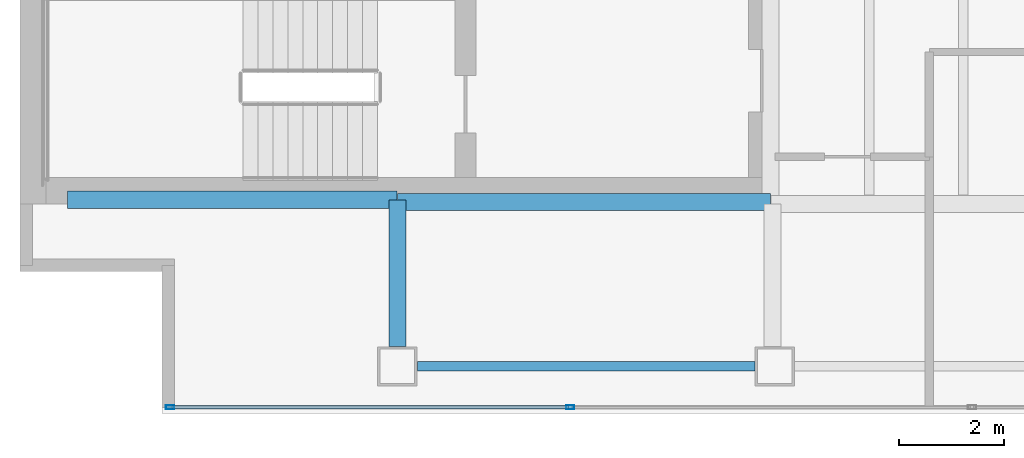
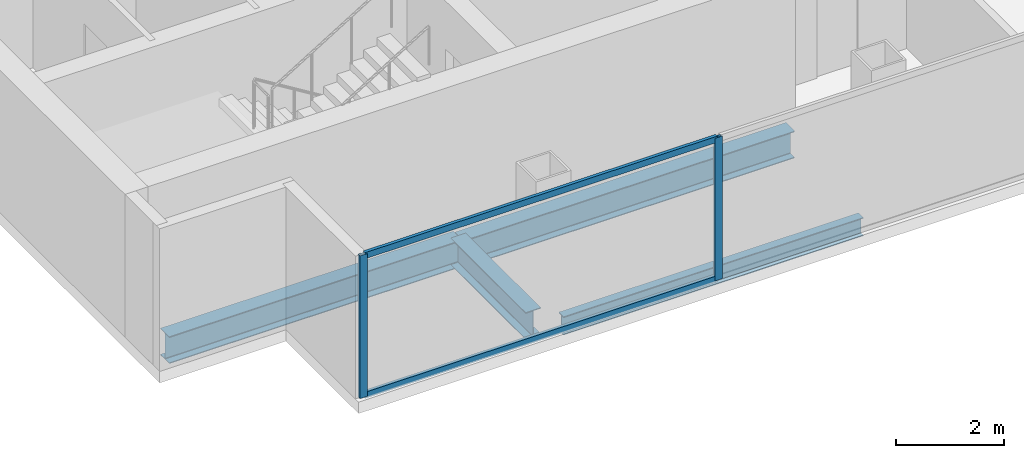
# One storey, part 2 of 23: 4 beams, 4 members, 1 element without a shape of its own.
"""IFC4 building model written with IfcOpenShell, lengths in metres."""

import ifcopenshell
import ifcopenshell.guid

model = None  # the IFC model being written
_history = None  # IfcOwnerHistory: only IFC2X3 demands one
_inside = {}  # id of a spatial element -> (the spatial element, [elements in it])
_under = {}  # id of a project, library or spatial element -> (it, [spatial elements below it])
_declared = {}  # id of a project -> (the project, [libraries it declares])
_typed = {}  # id of a type object -> (the type object, [elements of that type])
_made_of = {}  # id of a material, layer set ... -> (it, [elements and type objects made of it])


def new_model(schema):
    """Start an empty IFC model of exactly this schema.

    Asked for "IFC4X3", IfcOpenShell would pick the latest addendum, in which some entities
    have other attributes; the version numbers below select the first issue.
    IFC2X3 requires an IfcOwnerHistory on every rooted entity: one is made here for all.
    """
    global model, _history
    if schema == "IFC4X3":
        model = ifcopenshell.file(schema_version=(4, 3, 0, 0))
    else:
        model = ifcopenshell.file(schema=schema)
    _inside.clear()
    _under.clear()
    _declared.clear()
    _typed.clear()
    _made_of.clear()
    _history = None
    if model.schema == "IFC2X3":
        org = make("IfcOrganization", Name="unknown")
        user = make(
            "IfcPersonAndOrganization",
            ThePerson=make("IfcPerson", FamilyName="unknown"),
            TheOrganization=org,
        )
        app = make(
            "IfcApplication",
            ApplicationDeveloper=org,
            Version="unknown",
            ApplicationFullName="unknown",
            ApplicationIdentifier="unknown",
        )
        _history = make(
            "IfcOwnerHistory",
            OwningUser=user,
            OwningApplication=app,
            ChangeAction="ADDED",
            CreationDate=0,
        )
    return model


def make(cls, **values):
    """One entity of the class cls with the attributes given. An attribute that is None is left unset."""
    return model.create_entity(
        cls, **{name: value for name, value in values.items() if value is not None}
    )


def rooted(cls, **values):
    """An entity with a GlobalId (a new one), such as an element, a storey or a relation."""
    return make(cls, GlobalId=ifcopenshell.guid.new(), OwnerHistory=_history, **values)


def si_unit(unit_type, name, prefix=None):
    """IfcSIUnit, for example si_unit("LENGTHUNIT", "METRE", prefix="MILLI")."""
    return make("IfcSIUnit", UnitType=unit_type, Prefix=prefix, Name=name)


def assignment(units):
    """IfcUnitAssignment: the units of a project."""
    return None if units is None else make("IfcUnitAssignment", Units=units)


def point(xyz):
    """IfcCartesianPoint."""
    return None if xyz is None else make("IfcCartesianPoint", Coordinates=xyz)


def direction(xyz):
    """IfcDirection."""
    return None if xyz is None else make("IfcDirection", DirectionRatios=xyz)


def frame(location, z_axis=None, x_axis=None):
    """IfcAxis2Placement3D, a coordinate frame: its origin and axes. An axis left out is left unset."""
    return make(
        "IfcAxis2Placement3D",
        Location=point(location),
        Axis=direction(z_axis),
        RefDirection=direction(x_axis),
    )


def frame_2d(location, x_axis=None):
    """IfcAxis2Placement2D, a coordinate frame in the plane: its origin and x axis."""
    return make(
        "IfcAxis2Placement2D", Location=point(location), RefDirection=direction(x_axis)
    )


def origin():
    """The frame at (0, 0, 0) with its axes left unset."""
    return frame((0.0, 0.0, 0.0))


def origin_2d():
    """The frame at (0, 0) in the plane with its x axis left unset."""
    return frame_2d((0.0, 0.0))


def place(relative_to, where):
    """IfcLocalPlacement: puts the frame where relative to a parent placement (None: the world)."""
    return make(
        "IfcLocalPlacement", PlacementRelTo=relative_to, RelativePlacement=where
    )


def context(
    kind, dimensions, precision=None, world=None, true_north=None, identifier=None
):
    """IfcGeometricRepresentationContext, for example the 3D "Model" context."""
    return make(
        "IfcGeometricRepresentationContext",
        ContextIdentifier=identifier,
        ContextType=kind,
        CoordinateSpaceDimension=dimensions,
        Precision=precision,
        WorldCoordinateSystem=world,
        TrueNorth=true_north,
    )


def subcontext(parent, identifier, kind, view, scale=None):
    """IfcGeometricRepresentationSubContext, for example "Body" below "Model"."""
    return make(
        "IfcGeometricRepresentationSubContext",
        ContextIdentifier=identifier,
        ContextType=kind,
        ParentContext=parent,
        TargetScale=scale,
        TargetView=view,
    )


def project(units=None, contexts=None):
    """IfcProject with its units and contexts."""
    return rooted(
        "IfcProject",
        Name="project",
        RepresentationContexts=contexts,
        UnitsInContext=assignment(units),
    )


def spatial(cls, under=None, at=None, **own):
    """A site, building, storey or space (cls), placed at a placement, below another one or the project."""
    s = rooted(cls, ObjectPlacement=at, **own)
    if under is not None:
        _under.setdefault(under.id(), (under, []))[1].append(s)
    return s


def profile(cls, at=None, kind="AREA", **sizes):
    """A parametric profile (cls). Its sizes go by their IFC names, for example OverallWidth=200.0."""
    return make(cls, ProfileType=kind, Position=at, **sizes)


def hollow_rectangle(**sizes):
    """IfcRectangleHollowProfileDef."""
    return profile("IfcRectangleHollowProfileDef", **sizes)


def i_section(**sizes):
    """IfcIShapeProfileDef."""
    return profile("IfcIShapeProfileDef", **sizes)


def extrude(swept, where, along, depth):
    """IfcExtrudedAreaSolid: the profile swept, set in the frame where, extruded along a direction by depth."""
    return make(
        "IfcExtrudedAreaSolid",
        SweptArea=swept,
        Position=where,
        ExtrudedDirection=direction(along),
        Depth=depth,
    )


def shape(context_of_items, identifier, shape_type, items):
    """IfcShapeRepresentation: the items that make up one representation, for example the "Body"."""
    return make(
        "IfcShapeRepresentation",
        ContextOfItems=context_of_items,
        RepresentationIdentifier=identifier,
        RepresentationType=shape_type,
        Items=items,
    )


def material(Name=None, Category=None):
    """IfcMaterial."""
    return make("IfcMaterial", Name=Name, Category=Category)


def material_profile(
    of_material, cross_section, Name=None, Category=None, Priority=None
):
    """IfcMaterialProfile: a cross section and its material."""
    return make(
        "IfcMaterialProfile",
        Name=Name,
        Material=of_material,
        Profile=cross_section,
        Priority=Priority,
        Category=Category,
    )


def profile_set(profiles, Name=None, composite=None):
    """IfcMaterialProfileSet."""
    return make(
        "IfcMaterialProfileSet",
        Name=Name,
        MaterialProfiles=profiles,
        CompositeProfile=composite,
    )


def made_of(thing, what):
    """Note that an element or type object is made of a material, layer set ...; save() writes the relation."""
    if what is not None:
        _made_of.setdefault(what.id(), (what, []))[1].append(thing)
    return thing


def type_object(cls, material=None, **own):
    """A type object (cls), such as IfcWallType, which elements share."""
    return made_of(rooted(cls, **own), material)


def element(
    cls,
    number,
    at=None,
    inside=None,
    cuts=None,
    type_object=None,
    material=None,
    context=None,
    identifier="Body",
    shape_type=None,
    held_by="IfcProductDefinitionShape",
    body=None,
    shapes=None,
    **own,
):
    """One element of the class cls, such as IfcWall. Its Tag is "e" and its number.

    at: its placement. inside: the storey or other place that contains it. cuts: it is an
    opening in that element (IfcRelVoidsElement). A single representation is given by context,
    identifier, shape_type and body (its items); several are given by shapes. held_by: the class
    of the entity that holds the representations. save() writes the other relations.
    """
    e = rooted(cls, Tag="e%d" % number, ObjectPlacement=at, **own)
    if body is not None:
        shapes = [shape(context, identifier, shape_type, body)]
    if shapes is not None:
        e.Representation = make(held_by, Representations=shapes)
    if inside is not None:
        _inside.setdefault(inside.id(), (inside, []))[1].append(e)
    if cuts is not None:
        rooted(
            "IfcRelVoidsElement", RelatingBuildingElement=cuts, RelatedOpeningElement=e
        )
    if type_object is not None:
        _typed.setdefault(type_object.id(), (type_object, []))[1].append(e)
    return made_of(e, material)


def aggregate(whole, parts):
    """IfcRelAggregates: a whole, such as a stair, and the parts it consists of."""
    return rooted("IfcRelAggregates", RelatingObject=whole, RelatedObjects=parts)


def save(model, path):
    """Write the relations noted so far, then the file.

    IfcRelAggregates (storeys below a building ...), IfcRelContainedInSpatialStructure (elements
    in a storey), IfcRelDefinesByType, IfcRelAssociatesMaterial and IfcRelDeclares: one each for
    every whole, place, type object, material and project.
    """
    for whole, parts in _under.values():
        aggregate(whole, parts)
    for where, things in _inside.values():
        rooted(
            "IfcRelContainedInSpatialStructure",
            RelatedElements=things,
            RelatingStructure=where,
        )
    for kind, things in _typed.values():
        rooted("IfcRelDefinesByType", RelatedObjects=things, RelatingType=kind)
    for what, things in _made_of.values():
        rooted("IfcRelAssociatesMaterial", RelatedObjects=things, RelatingMaterial=what)
    for by, libraries in _declared.values():
        rooted("IfcRelDeclares", RelatingContext=by, RelatedDefinitions=libraries)
    model.write(path)


model = new_model("IFC4")

# Units and contexts
model_context = context("Model", 3, precision=1e-05, world=origin(), true_north=direction((0.0, 1.0)))
body_context = subcontext(model_context, "Body", "Model", "MODEL_VIEW")
ifc_project = project(units=[si_unit("LENGTHUNIT", "METRE"), si_unit("AREAUNIT", "SQUARE_METRE"), si_unit("VOLUMEUNIT", "CUBIC_METRE"), si_unit("PLANEANGLEUNIT", "RADIAN"), si_unit("MASSUNIT", "GRAM", prefix="KILO")], contexts=[model_context])

# Site, building, storey
site_placement = place(None, origin())
site = spatial("IfcSite", under=ifc_project, at=site_placement, CompositionType="ELEMENT")
building_placement = place(site_placement, origin())
building = spatial("IfcBuilding", under=site, at=building_placement, Name="Cobrela Telecom Tower", CompositionType="ELEMENT")
storey_placement = place(building_placement, frame((0.0, 0.0, 225.75)))
storey = spatial("IfcBuildingStorey", under=building, at=storey_placement, Name="L58", CompositionType="ELEMENT", Elevation=225.75)

# Beams
ifc_material_1 = material(Name="Steel ASTM A992 Grade 50", Category="steel")
ifc_material_profile_1 = material_profile(ifc_material_1, i_section(OverallWidth=0.324951171875, OverallDepth=0.612060546875, WebThickness=0.0126953125, FlangeThickness=0.01904296875, FilletRadius=0.014892578125, at=origin_2d()), Name="W24X104")
ifc_profile_set_1 = profile_set([ifc_material_profile_1], Name="Steel ASTM A992 Grade 50")
beam_type_1 = type_object("IfcBeamType", Name="BM-GIRD-07", PredefinedType="USERDEFINED", material=ifc_profile_set_1)
beam_1_placement = place(storey_placement, frame((0.905029296875, 7.280029296875, -0.56591796875), z_axis=(1.0, 0.0, 0.0), x_axis=(0.0, 1.0, 0.0)))
element("IfcBeam", 1, at=beam_1_placement, inside=storey, type_object=beam_type_1, Name="L58 Primary Girder X05", ObjectType="GIRDER", PredefinedType="USERDEFINED", context=body_context, shape_type="SweptSolid", body=[
    extrude(i_section(OverallWidth=0.324951171875, OverallDepth=0.612060546875, WebThickness=0.0126953125, FlangeThickness=0.01904296875, FilletRadius=0.014892578125, at=origin_2d()), origin(), (0.0, 0.0, 1.0), 6.2900390625),
])
beam_2_placement = place(storey_placement, frame((7.205078125, 7.239990234375, -0.56591796875), z_axis=(1.0, 0.0, 0.0), x_axis=(0.0, 1.0, 0.0)))
element("IfcBeam", 2, at=beam_2_placement, inside=storey, type_object=beam_type_1, Name="L58 Primary Girder X06", ObjectType="GIRDER", PredefinedType="USERDEFINED", context=body_context, shape_type="SweptSolid", body=[
    extrude(i_section(OverallWidth=0.324951171875, OverallDepth=0.612060546875, WebThickness=0.0126953125, FlangeThickness=0.01904296875, FilletRadius=0.014892578125, at=origin_2d()), origin(), (0.0, 0.0, 1.0), 7.10986328125),
])
beam_3_placement = place(storey_placement, frame((7.199951171875, 4.47998046875, -0.56591796875), z_axis=(0.0, 1.0, 0.0), x_axis=(-1.0, 0.0, 0.0)))
element("IfcBeam", 3, at=beam_3_placement, inside=storey, type_object=beam_type_1, Name="L58 Primary Girder Y24", ObjectType="GIRDER", PredefinedType="USERDEFINED", context=body_context, shape_type="SweptSolid", body=[
    extrude(i_section(OverallWidth=0.324951171875, OverallDepth=0.612060546875, WebThickness=0.0126953125, FlangeThickness=0.01904296875, FilletRadius=0.014892578125, at=origin_2d()), origin(), (0.0, 0.0, 1.0), 2.794921875),
])
ifc_material_profile_2 = material_profile(ifc_material_1, i_section(OverallWidth=0.179931640625, OverallDepth=0.4169921875, WebThickness=0.010986328125, FlangeThickness=0.01806640625, FilletRadius=0.011962890625, at=origin_2d()), Name="W16X57")
ifc_profile_set_2 = profile_set([ifc_material_profile_2], Name="Steel ASTM A992 Grade 50")
beam_type_2 = type_object("IfcBeamType", Name="BM-SPAND-06", PredefinedType="SPANDREL", material=ifc_profile_set_2)
beam_4_placement = place(storey_placement, frame((7.580078125, 4.10009765625, -0.468505859375), z_axis=(1.0, 0.0, 0.0), x_axis=(0.0, 1.0, 0.0)))
element("IfcBeam", 4, at=beam_4_placement, inside=storey, type_object=beam_type_2, Name="L58 Perimeter Spandrel X01", PredefinedType="SPANDREL", context=body_context, shape_type="SweptSolid", body=[
    extrude(i_section(OverallWidth=0.179931640625, OverallDepth=0.4169921875, WebThickness=0.010986328125, FlangeThickness=0.01806640625, FilletRadius=0.011962890625, at=origin_2d()), origin(), (0.0, 0.0, 1.0), 6.43994140625),
])

# Curtain wall, members
ifc_material_2 = material(Name="Anodized Bronze Aluminium 6063-T6", Category="aluminium")
curtain_wall_type = type_object("IfcCurtainWallType", Name="CW-SYS-OFF-LO", PredefinedType="USERDEFINED", material=ifc_material_2)
curtain_wall_placement = place(storey_placement, origin())
curtain_wall = element("IfcCurtainWall", 5, at=curtain_wall_placement, inside=storey, type_object=curtain_wall_type, Name="L58 Unitised Bronze Curtain Wall 17", ObjectType="UNITISED CURTAIN WALL", PredefinedType="USERDEFINED")
ifc_material_profile_3 = material_profile(ifc_material_2, hollow_rectangle(XDim=0.070068359375, YDim=0.159912109375, WallThickness=0.00390625, at=origin_2d()), Name="ALU 70x160x4")
ifc_profile_set_3 = profile_set([ifc_material_profile_3], Name="Anodized Bronze Aluminium 6063-T6")
member_type_1 = type_object("IfcMemberType", Name="CW-SYS-OFF-LO-MUL", PredefinedType="MULLION", material=ifc_profile_set_3)
member_1_placement = place(storey_placement, frame((10.498046875, 3.320068359375, 0.0), z_axis=(0.0, 0.0, 1.0), x_axis=(0.0, -1.0, 0.0)))
member_1 = element("IfcMember", 6, at=member_1_placement, type_object=member_type_1, Name="CW-OFF-LO mullion 5", PredefinedType="MULLION", context=body_context, shape_type="SweptSolid", body=[
    extrude(hollow_rectangle(XDim=0.070068359375, YDim=0.159912109375, WallThickness=0.00390625, at=origin_2d()), origin(), (0.0, 0.0, 1.0), 3.239990234375),
])
member_2_placement = place(storey_placement, frame((2.864990234375, 3.320068359375, 0.0), z_axis=(0.0, 0.0, 1.0), x_axis=(0.0, -1.0, 0.0)))
member_2 = element("IfcMember", 7, at=member_2_placement, type_object=member_type_1, Name="CW-OFF-LO mullion 6", PredefinedType="MULLION", context=body_context, shape_type="SweptSolid", body=[
    extrude(hollow_rectangle(XDim=0.070068359375, YDim=0.159912109375, WallThickness=0.00390625, at=origin_2d()), origin(), (0.0, 0.0, 1.0), 3.239990234375),
])
ifc_material_profile_4 = material_profile(ifc_material_2, hollow_rectangle(XDim=0.070068359375, YDim=0.139892578125, WallThickness=0.00390625, at=origin_2d()), Name="ALU 70x140x4")
ifc_profile_set_4 = profile_set([ifc_material_profile_4], Name="Anodized Bronze Aluminium 6063-T6")
member_type_2 = type_object("IfcMemberType", Name="CW-SYS-OFF-LO-TRN", PredefinedType="USERDEFINED", material=ifc_profile_set_4)
member_3_placement = place(storey_placement, frame((10.462890625, 3.320068359375, 0.034912109375), z_axis=(-1.0, 0.0, 0.0), x_axis=(0.0, -1.0, 0.0)))
member_3 = element("IfcMember", 8, at=member_3_placement, type_object=member_type_2, Name="CW-OFF-LO transom 5.1", ObjectType="TRANSOM", PredefinedType="USERDEFINED", context=body_context, shape_type="SweptSolid", body=[
    extrude(hollow_rectangle(XDim=0.070068359375, YDim=0.139892578125, WallThickness=0.00390625, at=origin_2d()), origin(), (0.0, 0.0, 1.0), 7.56298828125),
])
member_4_placement = place(storey_placement, frame((10.462890625, 3.320068359375, 3.205078125), z_axis=(-1.0, 0.0, 0.0), x_axis=(0.0, -1.0, 0.0)))
member_4 = element("IfcMember", 9, at=member_4_placement, type_object=member_type_2, Name="CW-OFF-LO transom 5.2", ObjectType="TRANSOM", PredefinedType="USERDEFINED", context=body_context, shape_type="SweptSolid", body=[
    extrude(hollow_rectangle(XDim=0.070068359375, YDim=0.139892578125, WallThickness=0.00390625, at=origin_2d()), origin(), (0.0, 0.0, 1.0), 7.56298828125),
])
aggregate(curtain_wall, [member_1, member_2, member_3, member_4])

save(model, "model.ifc")
